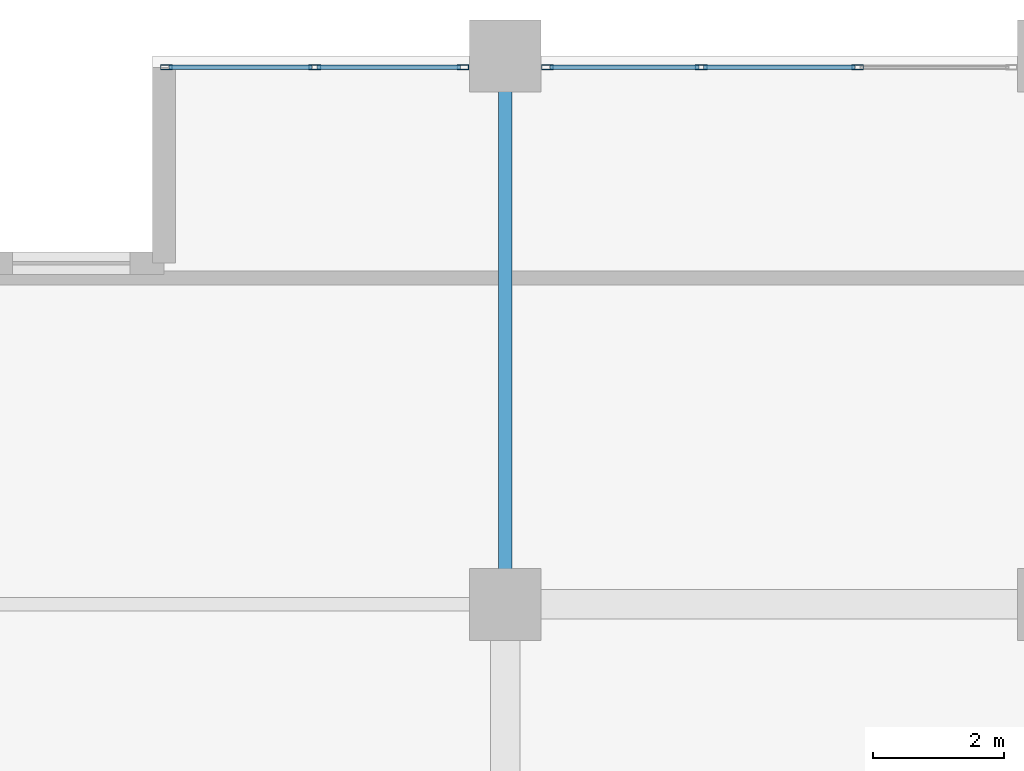
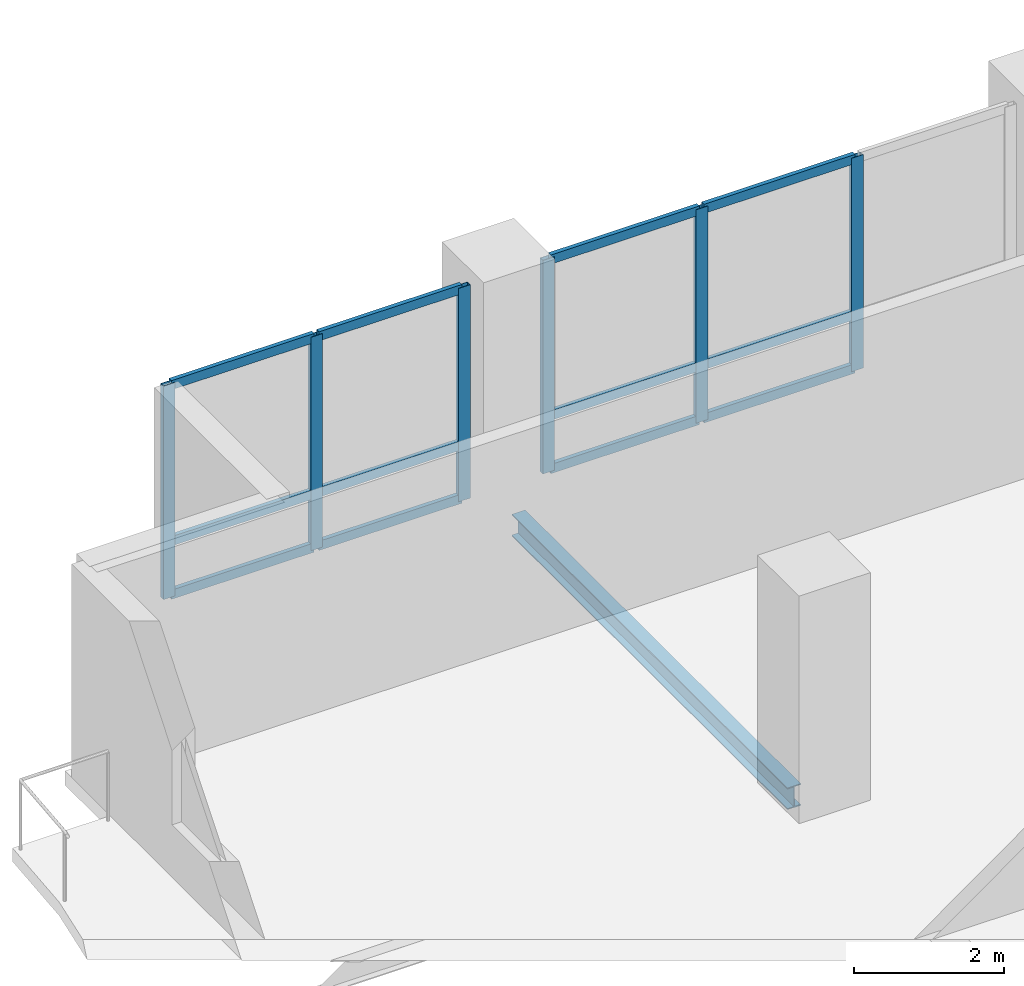
# One storey, part 3 of 19: 18 members, 1 beam, 2 elements without a shape of their own.
"""IFC4 building model written with IfcOpenShell, lengths in metres."""

from ifc_helpers import new_model, si_unit, direction, frame, origin, origin_2d, place, context, subcontext, project, spatial, hollow_rectangle, i_section, extrude, material, layer, layer_set, material_profile, profile_set, type_object, element, aggregate, save


model = new_model("IFC4")

# Units and contexts
model_context = context("Model", 3, precision=1e-05, world=origin(), true_north=direction((0.0, 1.0)))
body_context = subcontext(model_context, "Body", "Model", "MODEL_VIEW")
ifc_project = project(units=[si_unit("LENGTHUNIT", "METRE"), si_unit("AREAUNIT", "SQUARE_METRE"), si_unit("VOLUMEUNIT", "CUBIC_METRE"), si_unit("PLANEANGLEUNIT", "RADIAN"), si_unit("MASSUNIT", "GRAM", prefix="KILO")], contexts=[model_context])

# Site, building, storey
site_placement = place(None, origin())
site = spatial("IfcSite", under=ifc_project, at=site_placement, CompositionType="ELEMENT")
building_placement = place(site_placement, origin())
building = spatial("IfcBuilding", under=site, at=building_placement, Name="Koriwani Terraces Tower", CompositionType="ELEMENT")
storey_placement = place(building_placement, frame((0.0, 0.0, 190.199951171875)))
storey = spatial("IfcBuildingStorey", under=building, at=storey_placement, Name="L46", CompositionType="ELEMENT", Elevation=190.199951171875)

# Curtain wall, members
ifc_material_1 = material(Name="Anodised Bronze Aluminium", Category="aluminium")
ifc_layer = layer(ifc_material_1, 0.169921875, Name="Anodised Bronze Aluminium")
ifc_layer_set = layer_set([ifc_layer], Name="Anodised Bronze Aluminium")
curtain_wall_type = type_object("IfcCurtainWallType", Name="CW_RES_ZONE3", PredefinedType="NOTDEFINED", material=ifc_layer_set)
curtain_wall_1_placement = place(storey_placement, origin())
curtain_wall_1 = element("IfcCurtainWall", 1, at=curtain_wall_1_placement, inside=storey, type_object=curtain_wall_type, Name="L46 Unitised Curtain Wall (N_TIP) Bay 1", PredefinedType="NOTDEFINED")
ifc_material_profile_1 = material_profile(ifc_material_1, hollow_rectangle(XDim=0.074951171875, YDim=0.179931640625, WallThickness=0.006103515625, at=origin_2d()), Name="Anodised Bronze Aluminium", Category="LoadBearing")
ifc_profile_set_1 = profile_set([ifc_material_profile_1], Name="Anodised Bronze Aluminium")
member_type_1 = type_object("IfcMemberType", Name="CW_MULLION_180X75", PredefinedType="MULLION", material=ifc_profile_set_1)
member_1_placement = place(storey_placement, frame((3.21240234375, 75.425048828125, 0.0), z_axis=(0.0, 0.0, 1.0), x_axis=(0.0, 1.0, 0.0)))
member_1 = element("IfcMember", 2, at=member_1_placement, type_object=member_type_1, Name="CW-Z3 mullion 1", PredefinedType="MULLION", context=body_context, shape_type="SweptSolid", body=[
    extrude(hollow_rectangle(XDim=0.074951171875, YDim=0.179931640625, WallThickness=0.006103515625, at=origin_2d()), origin(), (0.0, 0.0, 1.0), 3.469970703125),
])
member_2_placement = place(storey_placement, frame((5.482421875, 75.425048828125, 0.0), z_axis=(0.0, 0.0, 1.0), x_axis=(0.0, 1.0, 0.0)))
member_2 = element("IfcMember", 3, at=member_2_placement, type_object=member_type_1, Name="CW-Z3 mullion 2", PredefinedType="MULLION", context=body_context, shape_type="SweptSolid", body=[
    extrude(hollow_rectangle(XDim=0.074951171875, YDim=0.179931640625, WallThickness=0.006103515625, at=origin_2d()), origin(), (0.0, 0.0, 1.0), 3.469970703125),
])
member_3_placement = place(storey_placement, frame((7.75244140625, 75.425048828125, 0.0), z_axis=(0.0, 0.0, 1.0), x_axis=(0.0, 1.0, 0.0)))
member_3 = element("IfcMember", 4, at=member_3_placement, type_object=member_type_1, Name="CW-Z3 mullion 3", PredefinedType="MULLION", context=body_context, shape_type="SweptSolid", body=[
    extrude(hollow_rectangle(XDim=0.074951171875, YDim=0.179931640625, WallThickness=0.006103515625, at=origin_2d()), origin(), (0.0, 0.0, 1.0), 3.469970703125),
])

curtain_wall_2_placement = place(storey_placement, origin())
curtain_wall_2 = element("IfcCurtainWall", 5, at=curtain_wall_2_placement, inside=storey, type_object=curtain_wall_type, Name="L46 Unitised Curtain Wall (N_TIP) Bay 2", PredefinedType="NOTDEFINED")
member_4_placement = place(storey_placement, frame((9.047607421875, 75.425048828125, 0.0), z_axis=(0.0, 0.0, 1.0), x_axis=(0.0, 1.0, 0.0)))
member_4 = element("IfcMember", 6, at=member_4_placement, type_object=member_type_1, Name="CW-Z3 mullion 1", PredefinedType="MULLION", context=body_context, shape_type="SweptSolid", body=[
    extrude(hollow_rectangle(XDim=0.074951171875, YDim=0.179931640625, WallThickness=0.006103515625, at=origin_2d()), origin(), (0.0, 0.0, 1.0), 3.469970703125),
])
member_5_placement = place(storey_placement, frame((11.4033203125, 75.425048828125, 0.0), z_axis=(0.0, 0.0, 1.0), x_axis=(0.0, 1.0, 0.0)))
member_5 = element("IfcMember", 7, at=member_5_placement, type_object=member_type_1, Name="CW-Z3 mullion 2", PredefinedType="MULLION", context=body_context, shape_type="SweptSolid", body=[
    extrude(hollow_rectangle(XDim=0.074951171875, YDim=0.179931640625, WallThickness=0.006103515625, at=origin_2d()), origin(), (0.0, 0.0, 1.0), 3.469970703125),
])
member_6_placement = place(storey_placement, frame((13.796630859375, 75.425048828125, 0.0), z_axis=(0.0, 0.0, 1.0), x_axis=(0.0, 1.0, 0.0)))
member_6 = element("IfcMember", 8, at=member_6_placement, type_object=member_type_1, Name="CW-Z3 mullion 3", PredefinedType="MULLION", context=body_context, shape_type="SweptSolid", body=[
    extrude(hollow_rectangle(XDim=0.074951171875, YDim=0.179931640625, WallThickness=0.006103515625, at=origin_2d()), origin(), (0.0, 0.0, 1.0), 3.469970703125),
])

# Member
ifc_material_profile_2 = material_profile(ifc_material_1, hollow_rectangle(XDim=0.06494140625, YDim=0.14990234375, WallThickness=0.0048828125, at=origin_2d()), Name="Anodised Bronze Aluminium", Category="LoadBearing")
ifc_profile_set_2 = profile_set([ifc_material_profile_2], Name="Anodised Bronze Aluminium")
member_type_2 = type_object("IfcMemberType", Name="CW_TRANSOM_150X65", PredefinedType="USERDEFINED", material=ifc_profile_set_2)
member_7_placement = place(storey_placement, frame((3.25, 75.425048828125, 0.032470703125), z_axis=(1.0, 0.0, 0.0), x_axis=(0.0, 1.0, 0.0)))
member_7 = element("IfcMember", 9, at=member_7_placement, type_object=member_type_2, Name="CW-Z3 transom 1.1", ObjectType="TRANSOM", PredefinedType="USERDEFINED", context=body_context, shape_type="SweptSolid", body=[
    extrude(hollow_rectangle(XDim=0.06494140625, YDim=0.14990234375, WallThickness=0.0048828125, at=origin_2d()), origin(), (0.0, 0.0, 1.0), 2.195068359375),
])

member_8_placement = place(storey_placement, frame((3.25, 75.425048828125, 0.900146484375), z_axis=(1.0, 0.0, 0.0), x_axis=(0.0, 1.0, 0.0)))
member_8 = element("IfcMember", 10, at=member_8_placement, type_object=member_type_2, Name="CW-Z3 transom 1.2", ObjectType="TRANSOM", PredefinedType="USERDEFINED", context=body_context, shape_type="SweptSolid", body=[
    extrude(hollow_rectangle(XDim=0.06494140625, YDim=0.14990234375, WallThickness=0.0048828125, at=origin_2d()), origin(), (0.0, 0.0, 1.0), 2.195068359375),
])

member_9_placement = place(storey_placement, frame((3.25, 75.425048828125, 3.4375), z_axis=(1.0, 0.0, 0.0), x_axis=(0.0, 1.0, 0.0)))
member_9 = element("IfcMember", 11, at=member_9_placement, type_object=member_type_2, Name="CW-Z3 transom 1.3", ObjectType="TRANSOM", PredefinedType="USERDEFINED", context=body_context, shape_type="SweptSolid", body=[
    extrude(hollow_rectangle(XDim=0.06494140625, YDim=0.14990234375, WallThickness=0.0048828125, at=origin_2d()), origin(), (0.0, 0.0, 1.0), 2.195068359375),
])

member_10_placement = place(storey_placement, frame((5.52001953125, 75.425048828125, 0.032470703125), z_axis=(1.0, 0.0, 0.0), x_axis=(0.0, 1.0, 0.0)))
member_10 = element("IfcMember", 12, at=member_10_placement, type_object=member_type_2, Name="CW-Z3 transom 2.1", ObjectType="TRANSOM", PredefinedType="USERDEFINED", context=body_context, shape_type="SweptSolid", body=[
    extrude(hollow_rectangle(XDim=0.06494140625, YDim=0.14990234375, WallThickness=0.0048828125, at=origin_2d()), origin(), (0.0, 0.0, 1.0), 2.195068359375),
])

member_11_placement = place(storey_placement, frame((5.52001953125, 75.425048828125, 0.900146484375), z_axis=(1.0, 0.0, 0.0), x_axis=(0.0, 1.0, 0.0)))
member_11 = element("IfcMember", 13, at=member_11_placement, type_object=member_type_2, Name="CW-Z3 transom 2.2", ObjectType="TRANSOM", PredefinedType="USERDEFINED", context=body_context, shape_type="SweptSolid", body=[
    extrude(hollow_rectangle(XDim=0.06494140625, YDim=0.14990234375, WallThickness=0.0048828125, at=origin_2d()), origin(), (0.0, 0.0, 1.0), 2.195068359375),
])

member_12_placement = place(storey_placement, frame((5.52001953125, 75.425048828125, 3.4375), z_axis=(1.0, 0.0, 0.0), x_axis=(0.0, 1.0, 0.0)))
member_12 = element("IfcMember", 14, at=member_12_placement, type_object=member_type_2, Name="CW-Z3 transom 2.3", ObjectType="TRANSOM", PredefinedType="USERDEFINED", context=body_context, shape_type="SweptSolid", body=[
    extrude(hollow_rectangle(XDim=0.06494140625, YDim=0.14990234375, WallThickness=0.0048828125, at=origin_2d()), origin(), (0.0, 0.0, 1.0), 2.195068359375),
])

aggregate(curtain_wall_1, [member_1, member_2, member_3, member_7, member_8, member_9, member_10, member_11, member_12])

member_13_placement = place(storey_placement, frame((9.0849609375, 75.425048828125, 0.032470703125), z_axis=(1.0, 0.0, 0.0), x_axis=(0.0, 1.0, 0.0)))
member_13 = element("IfcMember", 15, at=member_13_placement, type_object=member_type_2, Name="CW-Z3 transom 1.1", ObjectType="TRANSOM", PredefinedType="USERDEFINED", context=body_context, shape_type="SweptSolid", body=[
    extrude(hollow_rectangle(XDim=0.06494140625, YDim=0.14990234375, WallThickness=0.0048828125, at=origin_2d()), origin(), (0.0, 0.0, 1.0), 2.28076171875),
])

member_14_placement = place(storey_placement, frame((9.0849609375, 75.425048828125, 0.900146484375), z_axis=(1.0, 0.0, 0.0), x_axis=(0.0, 1.0, 0.0)))
member_14 = element("IfcMember", 16, at=member_14_placement, type_object=member_type_2, Name="CW-Z3 transom 1.2", ObjectType="TRANSOM", PredefinedType="USERDEFINED", context=body_context, shape_type="SweptSolid", body=[
    extrude(hollow_rectangle(XDim=0.06494140625, YDim=0.14990234375, WallThickness=0.0048828125, at=origin_2d()), origin(), (0.0, 0.0, 1.0), 2.28076171875),
])

member_15_placement = place(storey_placement, frame((9.0849609375, 75.425048828125, 3.4375), z_axis=(1.0, 0.0, 0.0), x_axis=(0.0, 1.0, 0.0)))
member_15 = element("IfcMember", 17, at=member_15_placement, type_object=member_type_2, Name="CW-Z3 transom 1.3", ObjectType="TRANSOM", PredefinedType="USERDEFINED", context=body_context, shape_type="SweptSolid", body=[
    extrude(hollow_rectangle(XDim=0.06494140625, YDim=0.14990234375, WallThickness=0.0048828125, at=origin_2d()), origin(), (0.0, 0.0, 1.0), 2.28076171875),
])

member_16_placement = place(storey_placement, frame((11.44091796875, 75.425048828125, 0.032470703125), z_axis=(1.0, 0.0, 0.0), x_axis=(0.0, 1.0, 0.0)))
member_16 = element("IfcMember", 18, at=member_16_placement, type_object=member_type_2, Name="CW-Z3 transom 2.1", ObjectType="TRANSOM", PredefinedType="USERDEFINED", context=body_context, shape_type="SweptSolid", body=[
    extrude(hollow_rectangle(XDim=0.06494140625, YDim=0.14990234375, WallThickness=0.0048828125, at=origin_2d()), origin(), (0.0, 0.0, 1.0), 2.318359375),
])

member_17_placement = place(storey_placement, frame((11.44091796875, 75.425048828125, 0.900146484375), z_axis=(1.0, 0.0, 0.0), x_axis=(0.0, 1.0, 0.0)))
member_17 = element("IfcMember", 19, at=member_17_placement, type_object=member_type_2, Name="CW-Z3 transom 2.2", ObjectType="TRANSOM", PredefinedType="USERDEFINED", context=body_context, shape_type="SweptSolid", body=[
    extrude(hollow_rectangle(XDim=0.06494140625, YDim=0.14990234375, WallThickness=0.0048828125, at=origin_2d()), origin(), (0.0, 0.0, 1.0), 2.318359375),
])

member_18_placement = place(storey_placement, frame((11.44091796875, 75.425048828125, 3.4375), z_axis=(1.0, 0.0, 0.0), x_axis=(0.0, 1.0, 0.0)))
member_18 = element("IfcMember", 20, at=member_18_placement, type_object=member_type_2, Name="CW-Z3 transom 2.3", ObjectType="TRANSOM", PredefinedType="USERDEFINED", context=body_context, shape_type="SweptSolid", body=[
    extrude(hollow_rectangle(XDim=0.06494140625, YDim=0.14990234375, WallThickness=0.0048828125, at=origin_2d()), origin(), (0.0, 0.0, 1.0), 2.318359375),
])

aggregate(curtain_wall_2, [member_4, member_5, member_6, member_13, member_14, member_15, member_16, member_17, member_18])

# Beam
ifc_material_2 = material(Name="Steel ASTM A572 Grade 50", Category="steel")
ifc_material_profile_3 = material_profile(ifc_material_2, i_section(OverallWidth=0.205078125, OverallDepth=0.35400390625, WebThickness=0.009521484375, FlangeThickness=0.016845703125, at=origin_2d()), Name="Steel ASTM A572 Grade 50", Category="LoadBearing")
ifc_profile_set_3 = profile_set([ifc_material_profile_3], Name="Steel ASTM A572 Grade 50")
beam_type = type_object("IfcBeamType", Name="STEEL_BEAM_W360X79", PredefinedType="JOIST", material=ifc_profile_set_3)
beam_placement = place(storey_placement, frame((8.39990234375, 67.72998046875, -0.406982421875), z_axis=(0.0, 1.0, 0.0), x_axis=(-1.0, 0.0, 0.0)))
element("IfcBeam", 21, at=beam_placement, inside=storey, type_object=beam_type, Name="L46 Grid Beam 2 (67.2-75.6m)", PredefinedType="JOIST", context=body_context, shape_type="SweptSolid", body=[
    extrude(i_section(OverallWidth=0.205078125, OverallDepth=0.35400390625, WebThickness=0.009521484375, FlangeThickness=0.016845703125, at=origin_2d()), origin(), (0.0, 0.0, 1.0), 7.340087890625),
])

save(model, "model.ifc")
